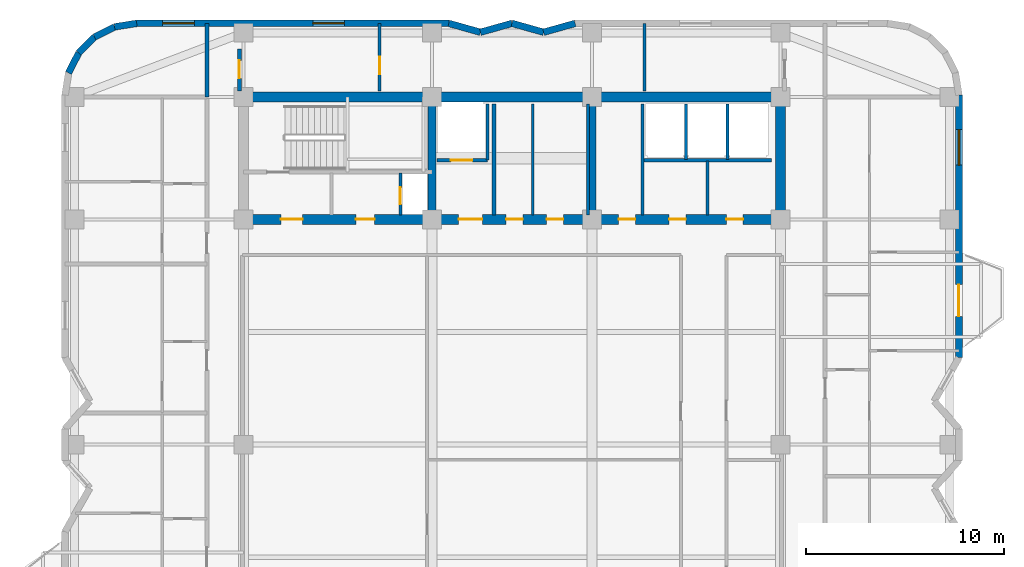
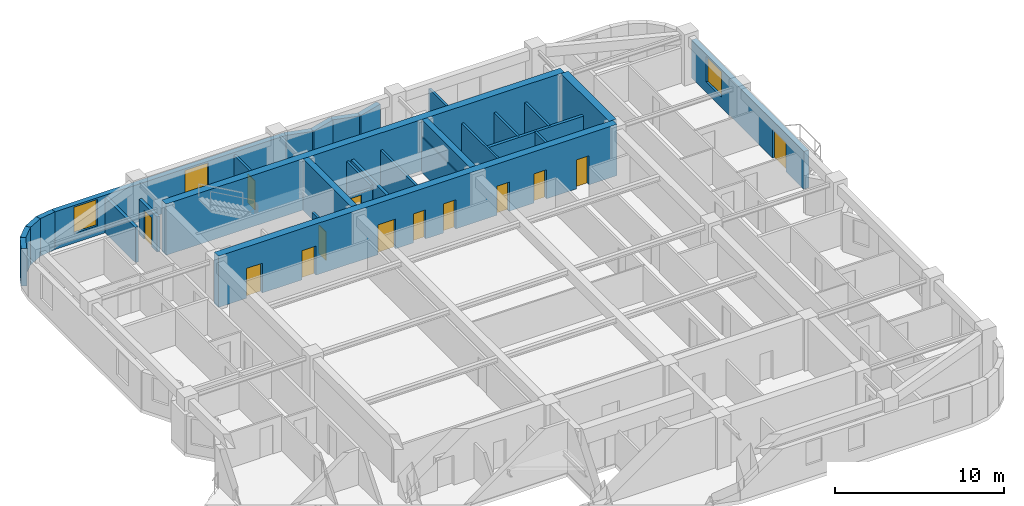
# One storey, part 6 of 9: 30 walls, 13 doors, 3 windows, 16 openings.
"""IFC4 building model written with IfcOpenShell, lengths in metres."""

from ifc_helpers import new_model, si_unit, direction, frame, frame_2d, origin, place, context, subcontext, project, spatial, rectangle, extrude, material, layer, layer_set, type_object, element, fill, save


model = new_model("IFC4")

# Units and contexts
model_context = context("Model", 3, precision=1e-05, world=origin(), true_north=direction((0.0, 1.0)))
body_context = subcontext(model_context, "Body", "Model", "MODEL_VIEW")
ifc_project = project(units=[si_unit("LENGTHUNIT", "METRE"), si_unit("AREAUNIT", "SQUARE_METRE"), si_unit("VOLUMEUNIT", "CUBIC_METRE"), si_unit("PLANEANGLEUNIT", "RADIAN"), si_unit("MASSUNIT", "GRAM", prefix="KILO")], contexts=[model_context])

# Site, building, storey
site_placement = place(None, origin())
site = spatial("IfcSite", under=ifc_project, at=site_placement, CompositionType="ELEMENT")
building_placement = place(site_placement, origin())
building = spatial("IfcBuilding", under=site, at=building_placement, Name="Svetorya Sky Lyceum", CompositionType="ELEMENT")
storey_placement = place(building_placement, frame((0.0, 0.0, 173.699951171875)))
storey = spatial("IfcBuildingStorey", under=building, at=storey_placement, Name="L43", CompositionType="ELEMENT", Elevation=173.699951171875)

# Walls
ifc_material_1 = material(Name="Concrete C40/50", Category="concrete")
ifc_layer_1 = layer(ifc_material_1, 0.39990234375)
ifc_layer_set_1 = layer_set([ifc_layer_1], Name="Concrete C40/50")
wall_type_1 = type_object("IfcWallType", Name="WL-CORE-400", PredefinedType="SHEAR", material=ifc_layer_set_1)
for number, where, z_axis, x_axis, name in (
    (1, (35.14990234375, 39.85009765625, 0.0), (0.0, 0.0, 1.0), (0.0, 1.0, 0.0), "L43 NC Internal Shear Web WEB1"),
    (2, (43.25, 39.85009765625, 0.0), (0.0, 0.0, 1.0), (0.0, 1.0, 0.0), "L43 NC Internal Shear Web WEB2"),
):
    element("IfcWall", number, at=place(storey_placement, frame(where, z_axis=z_axis, x_axis=x_axis)), inside=storey, type_object=wall_type_1, Name=name, PredefinedType="SHEAR", context=body_context, shape_type="SweptSolid", body=[
        extrude(rectangle(XDim=5.699951171875, YDim=0.39990234375, at=frame_2d((2.85009765625, 0.0))), origin(), (0.0, 0.0, 1.0), 3.699951171875),
    ])
ifc_material_2 = material(Name="Concrete C50/60", Category="concrete")
ifc_layer_2 = layer(ifc_material_2, 0.5)
ifc_layer_set_2 = layer_set([ifc_layer_2], Name="Concrete C50/60")
wall_type_2 = type_object("IfcWallType", Name="WL-CORE-500", PredefinedType="SHEAR", material=ifc_layer_set_2)
wall_1_placement = place(storey_placement, frame((25.60009765625, 45.800048828125, 0.0), z_axis=(0.0, 0.0, 1.0), x_axis=(1.0, 0.0, 0.0)))
element("IfcWall", 3, at=wall_1_placement, inside=storey, type_object=wall_type_2, Name="L43 NC Outer Core Shear Wall", PredefinedType="SHEAR", context=body_context, shape_type="SweptSolid", body=[
    extrude(rectangle(XDim=27.199951171875, YDim=0.5, at=frame_2d((13.60009765625, 0.0))), origin(), (0.0, 0.0, 1.0), 3.699951171875),
])
wall_2_placement = place(storey_placement, frame((52.800048828125, 39.85009765625, 0.0), z_axis=(0.0, 0.0, 1.0), x_axis=(0.0, 1.0, 0.0)))
element("IfcWall", 4, at=wall_2_placement, inside=storey, type_object=wall_type_2, Name="L43 NC East Core Shear Wall", PredefinedType="SHEAR", context=body_context, shape_type="SweptSolid", body=[
    extrude(rectangle(XDim=5.699951171875, YDim=0.5, at=frame_2d((2.85009765625, 0.0))), origin(), (0.0, 0.0, 1.0), 3.699951171875),
])

# Wall, openings, doors
wall_3_placement = place(storey_placement, frame((52.800048828125, 39.60009765625, 0.0), z_axis=(0.0, 0.0, 1.0), x_axis=(-1.0, 0.0, 0.0)))
wall_3 = element("IfcWall", 5, at=wall_3_placement, inside=storey, type_object=wall_type_2, Name="L43 NC Inner Core Shear Wall", PredefinedType="SHEAR", context=body_context, shape_type="SweptSolid", body=[
    extrude(rectangle(XDim=27.199951171875, YDim=0.5, at=frame_2d((13.60009765625, 0.0))), origin(), (0.0, 0.0, 1.0), 3.699951171875),
])
opening_1_placement = place(wall_3_placement, frame((24.199951171875, 0.0, 0.0)))
opening_1 = element("IfcOpeningElement", 6, at=opening_1_placement, cuts=wall_3, Name="Opening D-ST1", PredefinedType="OPENING", context=body_context, shape_type="SweptSolid", body=[
    extrude(rectangle(XDim=1.10009765625, YDim=2.14990234375, at=frame_2d((0.550048828125, 1.074951171875))), frame((0.0, 0.260009765625, 0.0), z_axis=(0.0, -1.0, 0.0), x_axis=(1.0, 0.0, 0.0)), (0.0, 0.0, 1.0), 0.52001953125),
])
opening_2_placement = place(wall_3_placement, frame((20.550048828125, 0.0, 0.0)))
opening_2 = element("IfcOpeningElement", 7, at=opening_2_placement, cuts=wall_3, Name="Opening D-CAC1", PredefinedType="OPENING", context=body_context, shape_type="SweptSolid", body=[
    extrude(rectangle(XDim=0.949951171875, YDim=2.10009765625, at=frame_2d((0.47509765625, 1.050048828125))), frame((0.0, 0.260009765625, 0.0), z_axis=(0.0, -1.0, 0.0), x_axis=(1.0, 0.0, 0.0)), (0.0, 0.0, 1.0), 0.52001953125),
])
opening_3_placement = place(wall_3_placement, frame((15.10009765625, 0.0, 0.0)))
opening_3 = element("IfcOpeningElement", 8, at=opening_3_placement, cuts=wall_3, Name="Opening D-FL1", PredefinedType="OPENING", context=body_context, shape_type="SweptSolid", body=[
    extrude(rectangle(XDim=1.199951171875, YDim=2.14990234375, at=frame_2d((0.60009765625, 1.074951171875))), frame((0.0, 0.260009765625, 0.0), z_axis=(0.0, -1.0, 0.0), x_axis=(1.0, 0.0, 0.0)), (0.0, 0.0, 1.0), 0.52001953125),
])
opening_4_placement = place(wall_3_placement, frame((13.050048828125, 0.0, 0.0)))
opening_4 = element("IfcOpeningElement", 9, at=opening_4_placement, cuts=wall_3, Name="Opening D-CWC1", PredefinedType="OPENING", context=body_context, shape_type="SweptSolid", body=[
    extrude(rectangle(XDim=0.85009765625, YDim=2.10009765625, at=frame_2d((0.425048828125, 1.050048828125))), frame((0.0, 0.260009765625, 0.0), z_axis=(0.0, -1.0, 0.0), x_axis=(1.0, 0.0, 0.0)), (0.0, 0.0, 1.0), 0.52001953125),
])
opening_5_placement = place(wall_3_placement, frame((11.0, 0.0, 0.0)))
opening_5 = element("IfcOpeningElement", 10, at=opening_5_placement, cuts=wall_3, Name="Opening D-CWC1", PredefinedType="OPENING", context=body_context, shape_type="SweptSolid", body=[
    extrude(rectangle(XDim=0.85009765625, YDim=2.10009765625, at=frame_2d((0.425048828125, 1.050048828125))), frame((0.0, 0.260009765625, 0.0), z_axis=(0.0, -1.0, 0.0), x_axis=(1.0, 0.0, 0.0)), (0.0, 0.0, 1.0), 0.52001953125),
])
opening_6_placement = place(wall_3_placement, frame((7.35009765625, 0.0, 0.0)))
opening_6 = element("IfcOpeningElement", 11, at=opening_6_placement, cuts=wall_3, Name="Opening D-CWC1", PredefinedType="OPENING", context=body_context, shape_type="SweptSolid", body=[
    extrude(rectangle(XDim=0.85009765625, YDim=2.10009765625, at=frame_2d((0.425048828125, 1.050048828125))), frame((0.0, 0.260009765625, 0.0), z_axis=(0.0, -1.0, 0.0), x_axis=(1.0, 0.0, 0.0)), (0.0, 0.0, 1.0), 0.52001953125),
])
opening_7_placement = place(wall_3_placement, frame((4.800048828125, 0.0, 0.0)))
opening_7 = element("IfcOpeningElement", 12, at=opening_7_placement, cuts=wall_3, Name="Opening D-CWC1", PredefinedType="OPENING", context=body_context, shape_type="SweptSolid", body=[
    extrude(rectangle(XDim=0.85009765625, YDim=2.10009765625, at=frame_2d((0.425048828125, 1.050048828125))), frame((0.0, 0.260009765625, 0.0), z_axis=(0.0, -1.0, 0.0), x_axis=(1.0, 0.0, 0.0)), (0.0, 0.0, 1.0), 0.52001953125),
])
opening_8_placement = place(wall_3_placement, frame((1.89990234375, 0.0, 0.0)))
opening_8 = element("IfcOpeningElement", 13, at=opening_8_placement, cuts=wall_3, Name="Opening D-CWC1", PredefinedType="OPENING", context=body_context, shape_type="SweptSolid", body=[
    extrude(rectangle(XDim=0.85009765625, YDim=2.10009765625, at=frame_2d((0.425048828125, 1.050048828125))), frame((0.0, 0.260009765625, 0.0), z_axis=(0.0, -1.0, 0.0), x_axis=(1.0, 0.0, 0.0)), (0.0, 0.0, 1.0), 0.52001953125),
])
ifc_material_3 = material(Name="Fire-rated galvanized steel core accessible WC door", Category="steel")
door_type_1 = type_object("IfcDoorType", Name="DR-CACC-950", OperationType="SINGLE_SWING_LEFT", PredefinedType="DOOR", material=ifc_material_3)
door_1_placement = place(opening_2_placement, origin())
door_1 = element("IfcDoor", 14, at=door_1_placement, inside=storey, type_object=door_type_1, Name="L43 North Core Accessible WC Door", OperationType="SINGLE_SWING_RIGHT", OverallHeight=2.10009765625, OverallWidth=0.949951171875, PredefinedType="DOOR", context=body_context, shape_type="SweptSolid", body=[
    extrude(rectangle(XDim=0.949951171875, YDim=2.10009765625, at=frame_2d((0.47509765625, 1.050048828125))), frame((0.0, 0.02490234375, 0.0), z_axis=(0.0, -1.0, 0.0), x_axis=(1.0, 0.0, 0.0)), (0.0, 0.0, 1.0), 0.050048828125),
])
fill(opening_2, door_1)
ifc_material_4 = material(Name="Fire-rated galvanized steel core service closet door", Category="steel")
door_type_2 = type_object("IfcDoorType", Name="DR-CWET-850", OperationType="SINGLE_SWING_LEFT", PredefinedType="DOOR", material=ifc_material_4)
door_2_placement = place(opening_4_placement, origin())
door_2 = element("IfcDoor", 15, at=door_2_placement, inside=storey, type_object=door_type_2, Name="L43 Upper Linen Door", OperationType="SINGLE_SWING_LEFT", OverallHeight=2.10009765625, OverallWidth=0.85009765625, PredefinedType="DOOR", context=body_context, shape_type="SweptSolid", body=[
    extrude(rectangle(XDim=0.85009765625, YDim=2.10009765625, at=frame_2d((0.425048828125, 1.050048828125))), frame((0.0, 0.02490234375, 0.0), z_axis=(0.0, -1.0, 0.0), x_axis=(1.0, 0.0, 0.0)), (0.0, 0.0, 1.0), 0.050048828125),
])
fill(opening_4, door_2)
door_3_placement = place(opening_5_placement, origin())
door_3 = element("IfcDoor", 16, at=door_3_placement, inside=storey, type_object=door_type_2, Name="L43 Upper Laundry Door", OperationType="SINGLE_SWING_RIGHT", OverallHeight=2.10009765625, OverallWidth=0.85009765625, PredefinedType="DOOR", context=body_context, shape_type="SweptSolid", body=[
    extrude(rectangle(XDim=0.85009765625, YDim=2.10009765625, at=frame_2d((0.425048828125, 1.050048828125))), frame((0.0, 0.02490234375, 0.0), z_axis=(0.0, -1.0, 0.0), x_axis=(1.0, 0.0, 0.0)), (0.0, 0.0, 1.0), 0.050048828125),
])
fill(opening_5, door_3)
door_4_placement = place(opening_6_placement, origin())
door_4 = element("IfcDoor", 17, at=door_4_placement, inside=storey, type_object=door_type_2, Name="L43 High-Zone Utility Room Door", OperationType="SINGLE_SWING_LEFT", OverallHeight=2.10009765625, OverallWidth=0.85009765625, PredefinedType="DOOR", context=body_context, shape_type="SweptSolid", body=[
    extrude(rectangle(XDim=0.85009765625, YDim=2.10009765625, at=frame_2d((0.425048828125, 1.050048828125))), frame((0.0, 0.02490234375, 0.0), z_axis=(0.0, -1.0, 0.0), x_axis=(1.0, 0.0, 0.0)), (0.0, 0.0, 1.0), 0.050048828125),
])
fill(opening_6, door_4)
door_5_placement = place(opening_7_placement, origin())
door_5 = element("IfcDoor", 18, at=door_5_placement, inside=storey, type_object=door_type_2, Name="L43 North Pantry Door", OperationType="SINGLE_SWING_LEFT", OverallHeight=2.10009765625, OverallWidth=0.85009765625, PredefinedType="DOOR", context=body_context, shape_type="SweptSolid", body=[
    extrude(rectangle(XDim=0.85009765625, YDim=2.10009765625, at=frame_2d((0.425048828125, 1.050048828125))), frame((0.0, 0.02490234375, 0.0), z_axis=(0.0, -1.0, 0.0), x_axis=(1.0, 0.0, 0.0)), (0.0, 0.0, 1.0), 0.050048828125),
])
fill(opening_7, door_5)
door_6_placement = place(opening_8_placement, origin())
door_6 = element("IfcDoor", 19, at=door_6_placement, inside=storey, type_object=door_type_2, Name="L43 North Laundry Door", OperationType="SINGLE_SWING_RIGHT", OverallHeight=2.10009765625, OverallWidth=0.85009765625, PredefinedType="DOOR", context=body_context, shape_type="SweptSolid", body=[
    extrude(rectangle(XDim=0.85009765625, YDim=2.10009765625, at=frame_2d((0.425048828125, 1.050048828125))), frame((0.0, 0.02490234375, 0.0), z_axis=(0.0, -1.0, 0.0), x_axis=(1.0, 0.0, 0.0)), (0.0, 0.0, 1.0), 0.050048828125),
])
fill(opening_8, door_6)
ifc_material_5 = material(Name="Powder-coated insulated galvanized stair fire door")
door_type_3 = type_object("IfcDoorType", Name="DR-FIRE-1100", OperationType="SINGLE_SWING_LEFT", PredefinedType="DOOR", material=ifc_material_5)
door_7_placement = place(opening_1_placement, origin())
door_7 = element("IfcDoor", 20, at=door_7_placement, inside=storey, type_object=door_type_3, Name="L43 North Stair Airlock Door", OperationType="SINGLE_SWING_LEFT", OverallHeight=2.14990234375, OverallWidth=1.10009765625, PredefinedType="DOOR", context=body_context, shape_type="SweptSolid", body=[
    extrude(rectangle(XDim=1.10009765625, YDim=2.14990234375, at=frame_2d((0.550048828125, 1.074951171875))), frame((0.0, 0.02490234375, 0.0), z_axis=(0.0, -1.0, 0.0), x_axis=(1.0, 0.0, 0.0)), (0.0, 0.0, 1.0), 0.050048828125),
])
fill(opening_1, door_7)
ifc_material_6 = material(Name="Powder-coated insulated galvanized fire door")
door_type_4 = type_object("IfcDoorType", Name="DR-FIRE-1200", OperationType="SINGLE_SWING_LEFT", PredefinedType="DOOR", material=ifc_material_6)
door_8_placement = place(opening_3_placement, origin())
door_8 = element("IfcDoor", 21, at=door_8_placement, inside=storey, type_object=door_type_4, Name="L43 North Firefighting Lift Lobby Door", OperationType="SINGLE_SWING_RIGHT", OverallHeight=2.14990234375, OverallWidth=1.199951171875, PredefinedType="DOOR", context=body_context, shape_type="SweptSolid", body=[
    extrude(rectangle(XDim=1.199951171875, YDim=2.14990234375, at=frame_2d((0.60009765625, 1.074951171875))), frame((0.0, 0.02490234375, 0.0), z_axis=(0.0, -1.0, 0.0), x_axis=(1.0, 0.0, 0.0)), (0.0, 0.0, 1.0), 0.050048828125),
])
fill(opening_3, door_8)

# Wall, openings, door, window
ifc_material_7 = material(Name="Putilovo limestone rainscreen on autoclaved cellular masonry", Category="masonry")
ifc_layer_3 = layer(ifc_material_7, 0.340087890625)
ifc_layer_set_3 = layer_set([ifc_layer_3], Name="Putilovo limestone rainscreen on autoclaved cellular masonry")
wall_type_3 = type_object("IfcWallType", Name="WL-EXT-340", PredefinedType="SOLIDWALL", material=ifc_layer_set_3)
wall_4_placement = place(storey_placement, frame((61.830078125, 32.60009765625, 0.0), z_axis=(0.0, 0.0, 1.0), x_axis=(0.0, 1.0, 0.0)))
wall_4 = element("IfcWall", 22, at=wall_4_placement, inside=storey, type_object=wall_type_3, Name="L43 Limestone Exterior Wall 23M", PredefinedType="SOLIDWALL", context=body_context, shape_type="SweptSolid", body=[
    extrude(rectangle(XDim=13.2998046875, YDim=0.340087890625, at=frame_2d((6.64990234375, 0.0))), origin(), (0.0, 0.0, 1.0), 2.719970703125),
])
opening_9_placement = place(wall_4_placement, frame((2.10009765625, 0.0, 0.0)))
opening_9 = element("IfcOpeningElement", 23, at=opening_9_placement, cuts=wall_4, Name="Opening D-BL1", PredefinedType="OPENING", context=body_context, shape_type="SweptSolid", body=[
    extrude(rectangle(XDim=1.60009765625, YDim=2.10009765625, at=frame_2d((0.800048828125, 1.050048828125))), frame((0.0, 0.179931640625, 0.0), z_axis=(0.0, -1.0, 0.0), x_axis=(1.0, 0.0, 0.0)), (0.0, 0.0, 1.0), 0.360107421875),
])
opening_10_placement = place(wall_4_placement, frame((9.75, 0.0, 0.75)))
opening_10 = element("IfcOpeningElement", 24, at=opening_10_placement, cuts=wall_4, Name="Opening W-R1", PredefinedType="OPENING", context=body_context, shape_type="SweptSolid", body=[
    extrude(rectangle(XDim=1.800048828125, YDim=1.85009765625, at=frame_2d((0.89990234375, 0.925048828125))), frame((0.0, 0.179931640625, 0.0), z_axis=(0.0, -1.0, 0.0), x_axis=(1.0, 0.0, 0.0)), (0.0, 0.0, 1.0), 0.360107421875),
])
ifc_material_8 = material(Name="Insulated glazed aluminium balcony door", Category="aluminium")
door_type_5 = type_object("IfcDoorType", Name="DR-BAL-1600", OperationType="DOUBLE_DOOR_SINGLE_SWING", PredefinedType="DOOR", material=ifc_material_8)
door_9_placement = place(opening_9_placement, origin())
door_9 = element("IfcDoor", 25, at=door_9_placement, inside=storey, type_object=door_type_5, Name="L43 Balcony BAL-E1 Door", OperationType="DOUBLE_DOOR_SINGLE_SWING", OverallHeight=2.10009765625, OverallWidth=1.60009765625, PredefinedType="DOOR", context=body_context, shape_type="SweptSolid", body=[
    extrude(rectangle(XDim=1.60009765625, YDim=2.10009765625, at=frame_2d((0.800048828125, 1.050048828125))), frame((0.0, 0.02490234375, 0.0), z_axis=(0.0, -1.0, 0.0), x_axis=(1.0, 0.0, 0.0)), (0.0, 0.0, 1.0), 0.050048828125),
])
fill(opening_9, door_9)
ifc_material_9 = material(Name="Thermally broken aluminium frame with triple low-E glazing", Category="aluminium")
window_type_1 = type_object("IfcWindowType", Name="WN-RES-180", PartitioningType="DOUBLE_PANEL_VERTICAL", PredefinedType="WINDOW", material=ifc_material_9)
window_1_placement = place(opening_10_placement, origin())
window_1 = element("IfcWindow", 26, at=window_1_placement, inside=storey, type_object=window_type_1, Name="L43 Facade Window W-R1.23M.1", OverallHeight=1.85009765625, OverallWidth=1.800048828125, PartitioningType="SINGLE_PANEL", PredefinedType="WINDOW", context=body_context, shape_type="SweptSolid", body=[
    extrude(rectangle(XDim=1.800048828125, YDim=1.85009765625, at=frame_2d((0.89990234375, 0.925048828125))), frame((0.0, 0.030029296875, 0.0), z_axis=(0.0, -1.0, 0.0), x_axis=(1.0, 0.0, 0.0)), (0.0, 0.0, 1.0), 0.06005859375),
])
fill(opening_10, window_1)

# Walls
wall_5_placement = place(storey_placement, frame((42.39990234375, 49.530029296875, 0.0), z_axis=(0.0, 0.0, 1.0), x_axis=(-0.962652136636, -0.270741322725, 0.0)))
element("IfcWall", 27, at=wall_5_placement, inside=storey, type_object=wall_type_3, Name="L43 Limestone Exterior Wall 30M", PredefinedType="SOLIDWALL", context=body_context, shape_type="SweptSolid", body=[
    extrude(rectangle(XDim=1.661865234375, YDim=0.340087890625, at=frame_2d((0.8310546875, 0.0))), origin(), (0.0, 0.0, 1.0), 2.719970703125),
])
wall_6_placement = place(storey_placement, frame((40.800048828125, 49.080078125, 0.0), z_axis=(0.0, 0.0, 1.0), x_axis=(-0.962662902433, 0.270703040766, 0.0)))
element("IfcWall", 28, at=wall_6_placement, inside=storey, type_object=wall_type_3, Name="L43 Limestone Exterior Wall 31M", PredefinedType="SOLIDWALL", context=body_context, shape_type="SweptSolid", body=[
    extrude(rectangle(XDim=1.662109375, YDim=0.340087890625, at=frame_2d((0.8310546875, 0.0))), origin(), (0.0, 0.0, 1.0), 2.719970703125),
])
wall_7_placement = place(storey_placement, frame((39.199951171875, 49.530029296875, 0.0), z_axis=(0.0, 0.0, 1.0), x_axis=(-0.962652136636, -0.270741322725, 0.0)))
element("IfcWall", 29, at=wall_7_placement, inside=storey, type_object=wall_type_3, Name="L43 Limestone Exterior Wall 32M", PredefinedType="SOLIDWALL", context=body_context, shape_type="SweptSolid", body=[
    extrude(rectangle(XDim=1.661865234375, YDim=0.340087890625, at=frame_2d((0.8310546875, 0.0))), origin(), (0.0, 0.0, 1.0), 2.719970703125),
])
wall_8_placement = place(storey_placement, frame((37.60009765625, 49.080078125, 0.0), z_axis=(0.0, 0.0, 1.0), x_axis=(-0.962662902433, 0.270703040766, 0.0)))
element("IfcWall", 30, at=wall_8_placement, inside=storey, type_object=wall_type_3, Name="L43 Limestone Exterior Wall 33M", PredefinedType="SOLIDWALL", context=body_context, shape_type="SweptSolid", body=[
    extrude(rectangle(XDim=1.662109375, YDim=0.340087890625, at=frame_2d((0.8310546875, 0.0))), origin(), (0.0, 0.0, 1.0), 2.719970703125),
])

# Wall, openings, windows
wall_9_placement = place(storey_placement, frame((36.0, 49.530029296875, 0.0), z_axis=(0.0, 0.0, 1.0), x_axis=(-1.0, 0.0, 0.0)))
wall_9 = element("IfcWall", 31, at=wall_9_placement, inside=storey, type_object=wall_type_3, Name="L43 Limestone Exterior Wall 34M", PredefinedType="SOLIDWALL", context=body_context, shape_type="SweptSolid", body=[
    extrude(rectangle(XDim=15.800048828125, YDim=0.340087890625, at=frame_2d((7.89990234375, 0.0))), origin(), (0.0, 0.0, 1.0), 2.719970703125),
])
opening_11_placement = place(wall_9_placement, frame((5.28759765625, 0.0, 0.699951171875)))
opening_11 = element("IfcOpeningElement", 32, at=opening_11_placement, cuts=wall_9, Name="Opening W-R4", PredefinedType="OPENING", context=body_context, shape_type="SweptSolid", body=[
    extrude(rectangle(XDim=1.60009765625, YDim=1.89990234375, at=frame_2d((0.800048828125, 0.949951171875))), frame((0.0, 0.179931640625, 0.0), z_axis=(0.0, -1.0, 0.0), x_axis=(1.0, 0.0, 0.0)), (0.0, 0.0, 1.0), 0.360107421875),
])
opening_12_placement = place(wall_9_placement, frame((12.887451171875, 0.0, 0.699951171875)))
opening_12 = element("IfcOpeningElement", 33, at=opening_12_placement, cuts=wall_9, Name="Opening W-R4", PredefinedType="OPENING", context=body_context, shape_type="SweptSolid", body=[
    extrude(rectangle(XDim=1.60009765625, YDim=1.89990234375, at=frame_2d((0.800048828125, 0.949951171875))), frame((0.0, 0.179931640625, 0.0), z_axis=(0.0, -1.0, 0.0), x_axis=(1.0, 0.0, 0.0)), (0.0, 0.0, 1.0), 0.360107421875),
])
window_type_2 = type_object("IfcWindowType", Name="WN-RES-160", PartitioningType="DOUBLE_PANEL_VERTICAL", PredefinedType="WINDOW", material=ifc_material_9)
window_2_placement = place(opening_11_placement, origin())
window_2 = element("IfcWindow", 34, at=window_2_placement, inside=storey, type_object=window_type_2, Name="L43 Facade Window W-R4.34M.1", OverallHeight=1.89990234375, OverallWidth=1.60009765625, PartitioningType="SINGLE_PANEL", PredefinedType="WINDOW", context=body_context, shape_type="SweptSolid", body=[
    extrude(rectangle(XDim=1.60009765625, YDim=1.89990234375, at=frame_2d((0.800048828125, 0.949951171875))), frame((0.0, 0.030029296875, 0.0), z_axis=(0.0, -1.0, 0.0), x_axis=(1.0, 0.0, 0.0)), (0.0, 0.0, 1.0), 0.06005859375),
])
fill(opening_11, window_2)
window_3_placement = place(opening_12_placement, origin())
window_3 = element("IfcWindow", 35, at=window_3_placement, inside=storey, type_object=window_type_2, Name="L43 Facade Window W-R4.34M.2", OverallHeight=1.89990234375, OverallWidth=1.60009765625, PartitioningType="SINGLE_PANEL", PredefinedType="WINDOW", context=body_context, shape_type="SweptSolid", body=[
    extrude(rectangle(XDim=1.60009765625, YDim=1.89990234375, at=frame_2d((0.800048828125, 0.949951171875))), frame((0.0, 0.030029296875, 0.0), z_axis=(0.0, -1.0, 0.0), x_axis=(1.0, 0.0, 0.0)), (0.0, 0.0, 1.0), 0.06005859375),
])
fill(opening_12, window_3)

# Walls
wall_10_placement = place(storey_placement, frame((20.199951171875, 49.530029296875, 0.0), z_axis=(0.0, 0.0, 1.0), x_axis=(-0.987675651954, -0.156514556949, 0.0)))
element("IfcWall", 36, at=wall_10_placement, inside=storey, type_object=wall_type_3, Name="L43 Limestone Exterior Wall 35M", PredefinedType="SOLIDWALL", context=body_context, shape_type="SweptSolid", body=[
    extrude(rectangle(XDim=1.135498046875, YDim=0.340087890625, at=frame_2d((0.56787109375, 0.0))), origin(), (0.0, 0.0, 1.0), 2.719970703125),
])
for number, where, z_axis, x_axis, name in (
    (37, (19.078369140625, 49.352294921875, 0.0), (0.0, 0.0, 1.0), (-0.891005044957, -0.453993402883, 0.0), "L43 Limestone Exterior Wall 36M"),
    (38, (18.06640625, 48.836669921875, 0.0), (0.0, 0.0, 1.0), (-0.707214252388, -0.706999293649, 0.0), "L43 Limestone Exterior Wall 37M"),
    (39, (17.26318359375, 48.03369140625, 0.0), (0.0, 0.0, 1.0), (-0.453822724105, -0.891091990249, 0.0), "L43 Limestone Exterior Wall 38M"),
):
    element("IfcWall", number, at=place(storey_placement, frame(where, z_axis=z_axis, x_axis=x_axis)), inside=storey, type_object=wall_type_3, Name=name, PredefinedType="SOLIDWALL", context=body_context, shape_type="SweptSolid", body=[
        extrude(rectangle(XDim=1.1357421875, YDim=0.340087890625, at=frame_2d((0.56787109375, 0.0))), origin(), (0.0, 0.0, 1.0), 2.719970703125),
    ])

# Wall, opening, door
ifc_material_10 = material(Name="Autoclaved cellular masonry blockwork with acoustic render", Category="masonry")
ifc_layer_4 = layer(ifc_material_10, 0.14990234375)
ifc_layer_set_4 = layer_set([ifc_layer_4], Name="Autoclaved cellular masonry blockwork with acoustic render")
wall_type_4 = type_object("IfcWallType", Name="WL-PART-150", PredefinedType="PARTITIONING", material=ifc_layer_set_4)
wall_11_placement = place(storey_placement, frame((33.550048828125, 39.820068359375, 0.0), z_axis=(0.0, 0.0, 1.0), x_axis=(0.0, 1.0, 0.0)))
wall_11 = element("IfcWall", 40, at=wall_11_placement, inside=storey, type_object=wall_type_4, Name="L43 Interior Partition NC-RSRW", PredefinedType="PARTITIONING", context=body_context, shape_type="SweptSolid", body=[
    extrude(rectangle(XDim=2.1298828125, YDim=0.14990234375, at=frame_2d((1.06494140625, 0.0))), origin(), (0.0, 0.0, 1.0), 2.550048828125),
])
opening_13_placement = place(wall_11_placement, frame((0.550048828125, 0.0, 0.0)))
opening_13 = element("IfcOpeningElement", 41, at=opening_13_placement, cuts=wall_11, Name="Opening D-SH1", PredefinedType="OPENING", context=body_context, shape_type="SweptSolid", body=[
    extrude(rectangle(XDim=0.85009765625, YDim=2.050048828125, at=frame_2d((0.425048828125, 1.02490234375))), frame((0.0, 0.0849609375, 0.0), z_axis=(0.0, -1.0, 0.0), x_axis=(1.0, 0.0, 0.0)), (0.0, 0.0, 1.0), 0.169921875),
])
ifc_material_11 = material(Name="Insulated galvanized riser inspection fire door")
door_type_6 = type_object("IfcDoorType", Name="DR-SHFT-850", OperationType="SINGLE_SWING_LEFT", PredefinedType="TRAPDOOR", material=ifc_material_11)
door_10_placement = place(opening_13_placement, origin())
door_10 = element("IfcDoor", 42, at=door_10_placement, inside=storey, type_object=door_type_6, Name="L43 North Riser Access Door", OperationType="SINGLE_SWING_LEFT", OverallHeight=2.050048828125, OverallWidth=0.85009765625, PredefinedType="TRAPDOOR", context=body_context, shape_type="SweptSolid", body=[
    extrude(rectangle(XDim=0.85009765625, YDim=2.050048828125, at=frame_2d((0.425048828125, 1.02490234375))), frame((0.0, 0.02490234375, 0.0), z_axis=(0.0, -1.0, 0.0), x_axis=(1.0, 0.0, 0.0)), (0.0, 0.0, 1.0), 0.050048828125),
])
fill(opening_13, door_10)

# Walls
wall_12_placement = place(storey_placement, frame((37.949951171875, 42.60009765625, 0.0), z_axis=(0.0, 0.0, 1.0), x_axis=(0.0, 1.0, 0.0)))
element("IfcWall", 43, at=wall_12_placement, inside=storey, type_object=wall_type_4, Name="L43 Interior Partition NC-FL1SIDE", PredefinedType="PARTITIONING", context=body_context, shape_type="SweptSolid", body=[
    extrude(rectangle(XDim=2.849853515625, YDim=0.14990234375, at=frame_2d((1.4248046875, 0.0))), origin(), (0.0, 0.0, 1.0), 2.550048828125),
])
for number, where, z_axis, x_axis, name in (
    (44, (43.050048828125, 39.820068359375, 0.0), (0.0, 0.0, 1.0), (0.0, 1.0, 0.0), "L43 Interior Partition NC-FPM-END"),
    (45, (40.25, 39.820068359375, 0.0), (0.0, 0.0, 1.0), (0.0, 1.0, 0.0), "L43 Interior Partition NC-FPM-V2"),
    (46, (45.800048828125, 39.820068359375, 0.0), (0.0, 0.0, 1.0), (0.0, 1.0, 0.0), "L43 Interior Partition NC-PM3-FULL"),
):
    element("IfcWall", number, at=place(storey_placement, frame(where, z_axis=z_axis, x_axis=x_axis)), inside=storey, type_object=wall_type_4, Name=name, PredefinedType="PARTITIONING", context=body_context, shape_type="SweptSolid", body=[
        extrude(rectangle(XDim=5.6298828125, YDim=0.14990234375, at=frame_2d((2.81494140625, 0.0))), origin(), (0.0, 0.0, 1.0), 2.550048828125),
    ])
for number, where, z_axis, x_axis, name in (
    (47, (48.0, 42.64990234375, 0.0), (0.0, 0.0, 1.0), (0.0, 1.0, 0.0), "L43 Interior Partition NC-PH-D1"),
    (48, (50.10009765625, 42.64990234375, 0.0), (0.0, 0.0, 1.0), (0.0, 1.0, 0.0), "L43 Interior Partition NC-PH-D2"),
):
    element("IfcWall", number, at=place(storey_placement, frame(where, z_axis=z_axis, x_axis=x_axis)), inside=storey, type_object=wall_type_4, Name=name, PredefinedType="PARTITIONING", context=body_context, shape_type="SweptSolid", body=[
        extrude(rectangle(XDim=2.800048828125, YDim=0.14990234375, at=frame_2d((1.39990234375, 0.0))), origin(), (0.0, 0.0, 1.0), 2.550048828125),
    ])
wall_13_placement = place(storey_placement, frame((49.10009765625, 39.820068359375, 0.0), z_axis=(0.0, 0.0, 1.0), x_axis=(0.0, 1.0, 0.0)))
element("IfcWall", 49, at=wall_13_placement, inside=storey, type_object=wall_type_4, Name="L43 Interior Partition NC-EDH", PredefinedType="PARTITIONING", context=body_context, shape_type="SweptSolid", body=[
    extrude(rectangle(XDim=2.72998046875, YDim=0.14990234375, at=frame_2d((1.364990234375, 0.0))), origin(), (0.0, 0.0, 1.0), 2.550048828125),
])

# Wall, opening, door
wall_14_placement = place(storey_placement, frame((32.5, 46.10009765625, 0.0), z_axis=(0.0, 0.0, 1.0), x_axis=(0.0, 1.0, 0.0)))
wall_14 = element("IfcWall", 50, at=wall_14_placement, inside=storey, type_object=wall_type_4, Name="L43 Interior Partition N-D1", PredefinedType="PARTITIONING", context=body_context, shape_type="SweptSolid", body=[
    extrude(rectangle(XDim=3.429931640625, YDim=0.14990234375, at=frame_2d((1.71484375, 0.0))), origin(), (0.0, 0.0, 1.0), 2.550048828125),
])
opening_14_placement = place(wall_14_placement, frame((0.85009765625, 0.0, 0.0)))
opening_14 = element("IfcOpeningElement", 51, at=opening_14_placement, cuts=wall_14, Name="Opening D-RM1", PredefinedType="OPENING", context=body_context, shape_type="SweptSolid", body=[
    extrude(rectangle(XDim=0.89990234375, YDim=2.10009765625, at=frame_2d((0.449951171875, 1.050048828125))), frame((0.0, 0.0849609375, 0.0), z_axis=(0.0, -1.0, 0.0), x_axis=(1.0, 0.0, 0.0)), (0.0, 0.0, 1.0), 0.169921875),
])
ifc_material_12 = material(Name="Lacquered birch veneer internal door")
door_type_7 = type_object("IfcDoorType", Name="DR-INT-900", OperationType="SINGLE_SWING_LEFT", PredefinedType="DOOR", material=ifc_material_12)
door_11_placement = place(opening_14_placement, origin())
door_11 = element("IfcDoor", 52, at=door_11_placement, inside=storey, type_object=door_type_7, Name="L43 North Store Door", OperationType="SINGLE_SWING_RIGHT", OverallHeight=2.10009765625, OverallWidth=0.89990234375, PredefinedType="DOOR", context=body_context, shape_type="SweptSolid", body=[
    extrude(rectangle(XDim=0.89990234375, YDim=2.10009765625, at=frame_2d((0.449951171875, 1.050048828125))), frame((0.0, 0.02490234375, 0.0), z_axis=(0.0, -1.0, 0.0), x_axis=(1.0, 0.0, 0.0)), (0.0, 0.0, 1.0), 0.050048828125),
])
fill(opening_14, door_11)

# Wall
wall_15_placement = place(storey_placement, frame((45.89990234375, 46.10009765625, 0.0), z_axis=(0.0, 0.0, 1.0), x_axis=(0.0, 1.0, 0.0)))
element("IfcWall", 53, at=wall_15_placement, inside=storey, type_object=wall_type_4, Name="L43 Interior Partition N-D2", PredefinedType="PARTITIONING", context=body_context, shape_type="SweptSolid", body=[
    extrude(rectangle(XDim=3.429931640625, YDim=0.14990234375, at=frame_2d((1.71484375, 0.0))), origin(), (0.0, 0.0, 1.0), 2.550048828125),
])

# Wall, opening, door
ifc_material_13 = material(Name="Autoclaved cellular masonry blockwork with gypsum plaster", Category="masonry")
ifc_layer_5 = layer(ifc_material_13, 0.199951171875)
ifc_layer_set_5 = layer_set([ifc_layer_5], Name="Autoclaved cellular masonry blockwork with gypsum plaster")
wall_type_5 = type_object("IfcWallType", Name="WL-PART-200", PredefinedType="PARTITIONING", material=ifc_layer_set_5)
wall_16_placement = place(storey_placement, frame((37.949951171875, 42.60009765625, 0.0), z_axis=(0.0, 0.0, 1.0), x_axis=(-1.0, 0.0, 0.0)))
wall_16 = element("IfcWall", 54, at=wall_16_placement, inside=storey, type_object=wall_type_5, Name="L43 Interior Partition NC-FL1W", PredefinedType="PARTITIONING", context=body_context, shape_type="SweptSolid", body=[
    extrude(rectangle(XDim=2.550048828125, YDim=0.199951171875, at=frame_2d((1.27490234375, 0.0))), origin(), (0.0, 0.0, 1.0), 2.320068359375),
])
opening_15_placement = place(wall_16_placement, frame((0.75, 0.0, 0.0)))
opening_15 = element("IfcOpeningElement", 55, at=opening_15_placement, cuts=wall_16, Name="Opening LD-FL", PredefinedType="OPENING", context=body_context, shape_type="SweptSolid", body=[
    extrude(rectangle(XDim=1.10009765625, YDim=2.14990234375, at=frame_2d((0.550048828125, 1.074951171875))), frame((0.0, 0.10986328125, 0.0), z_axis=(0.0, -1.0, 0.0), x_axis=(1.0, 0.0, 0.0)), (0.0, 0.0, 1.0), 0.219970703125),
])
ifc_material_14 = material(Name="Fire-rated stainless AISI 304 firefighting lift landing door")
door_type_8 = type_object("IfcDoorType", Name="DR-LIFT-1100", OperationType="SLIDING_TO_LEFT", PredefinedType="DOOR", material=ifc_material_14)
door_12_placement = place(opening_15_placement, origin())
door_12 = element("IfcDoor", 56, at=door_12_placement, inside=storey, type_object=door_type_8, Name="L43 Firefighting Lift FL1 Landing Door", OperationType="SLIDING_TO_LEFT", OverallHeight=2.14990234375, OverallWidth=1.10009765625, PredefinedType="DOOR", context=body_context, shape_type="SweptSolid", body=[
    extrude(rectangle(XDim=1.10009765625, YDim=2.14990234375, at=frame_2d((0.550048828125, 1.074951171875))), frame((0.0, 0.02490234375, 0.0), z_axis=(0.0, -1.0, 0.0), x_axis=(1.0, 0.0, 0.0)), (0.0, 0.0, 1.0), 0.050048828125),
])
fill(opening_15, door_12)

# Walls
wall_17_placement = place(storey_placement, frame((38.280029296875, 39.820068359375, 0.0), z_axis=(0.0, 0.0, 1.0), x_axis=(0.0, 1.0, 0.0)))
element("IfcWall", 57, at=wall_17_placement, inside=storey, type_object=wall_type_5, Name="L43 Interior Partition NC-FFLDIV", PredefinedType="PARTITIONING", context=body_context, shape_type="SweptSolid", body=[
    extrude(rectangle(XDim=5.6298828125, YDim=0.199951171875, at=frame_2d((2.81494140625, 0.0))), origin(), (0.0, 0.0, 1.0), 2.550048828125),
])
wall_18_placement = place(storey_placement, frame((52.35009765625, 42.60009765625, 0.0), z_axis=(0.0, 0.0, 1.0), x_axis=(-1.0, 0.0, 0.0)))
element("IfcWall", 58, at=wall_18_placement, inside=storey, type_object=wall_type_5, Name="L43 Interior Partition NC-PHEW", PredefinedType="PARTITIONING", context=body_context, shape_type="SweptSolid", body=[
    extrude(rectangle(XDim=6.5, YDim=0.199951171875, at=frame_2d((3.25, 0.0))), origin(), (0.0, 0.0, 1.0), 2.550048828125),
])
wall_19_placement = place(storey_placement, frame((23.75, 45.800048828125, 0.0), z_axis=(0.0, 0.0, 1.0), x_axis=(0.0, 1.0, 0.0)))
element("IfcWall", 59, at=wall_19_placement, inside=storey, type_object=wall_type_5, Name="L43 Interior Partition WC-NW-END", PredefinedType="PARTITIONING", context=body_context, shape_type="SweptSolid", body=[
    extrude(rectangle(XDim=3.72998046875, YDim=0.199951171875, at=frame_2d((1.864990234375, 0.0))), origin(), (0.0, 0.0, 1.0), 2.550048828125),
])

# Wall, opening, door
wall_20_placement = place(storey_placement, frame((25.39990234375, 46.10009765625, 0.0), z_axis=(0.0, 0.0, 1.0), x_axis=(0.0, 1.0, 0.0)))
wall_20 = element("IfcWall", 60, at=wall_20_placement, inside=storey, type_object=wall_type_5, Name="L43 Interior Partition N-EW", PredefinedType="PARTITIONING", context=body_context, shape_type="SweptSolid", body=[
    extrude(rectangle(XDim=2.1298828125, YDim=0.199951171875, at=frame_2d((1.06494140625, 0.0))), origin(), (0.0, 0.0, 1.0), 2.550048828125),
])
opening_16_placement = place(wall_20_placement, frame((0.64990234375, 0.0, 0.0)))
opening_16 = element("IfcOpeningElement", 61, at=opening_16_placement, cuts=wall_20, Name="Opening D-RM1", PredefinedType="OPENING", context=body_context, shape_type="SweptSolid", body=[
    extrude(rectangle(XDim=0.89990234375, YDim=2.10009765625, at=frame_2d((0.449951171875, 1.050048828125))), frame((0.0, 0.10986328125, 0.0), z_axis=(0.0, -1.0, 0.0), x_axis=(1.0, 0.0, 0.0)), (0.0, 0.0, 1.0), 0.219970703125),
])
door_13_placement = place(opening_16_placement, origin())
door_13 = element("IfcDoor", 62, at=door_13_placement, inside=storey, type_object=door_type_7, Name="L43 North Study Door", OperationType="SINGLE_SWING_RIGHT", OverallHeight=2.10009765625, OverallWidth=0.89990234375, PredefinedType="DOOR", context=body_context, shape_type="SweptSolid", body=[
    extrude(rectangle(XDim=0.89990234375, YDim=2.10009765625, at=frame_2d((0.449951171875, 1.050048828125))), frame((0.0, 0.02490234375, 0.0), z_axis=(0.0, -1.0, 0.0), x_axis=(1.0, 0.0, 0.0)), (0.0, 0.0, 1.0), 0.050048828125),
])
fill(opening_16, door_13)

save(model, "model.ifc")
